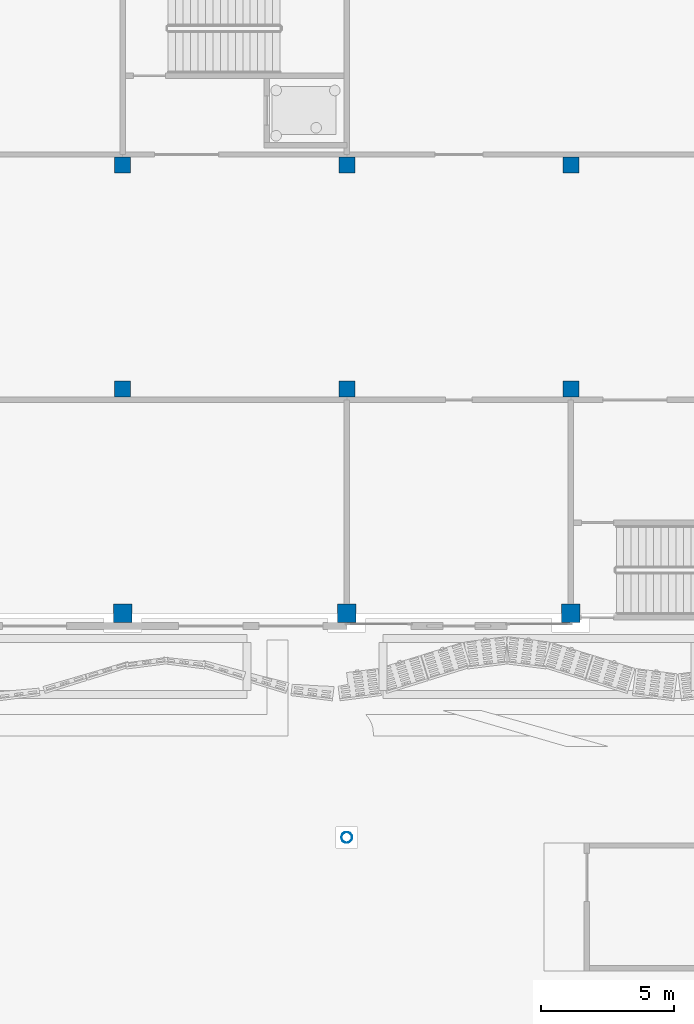
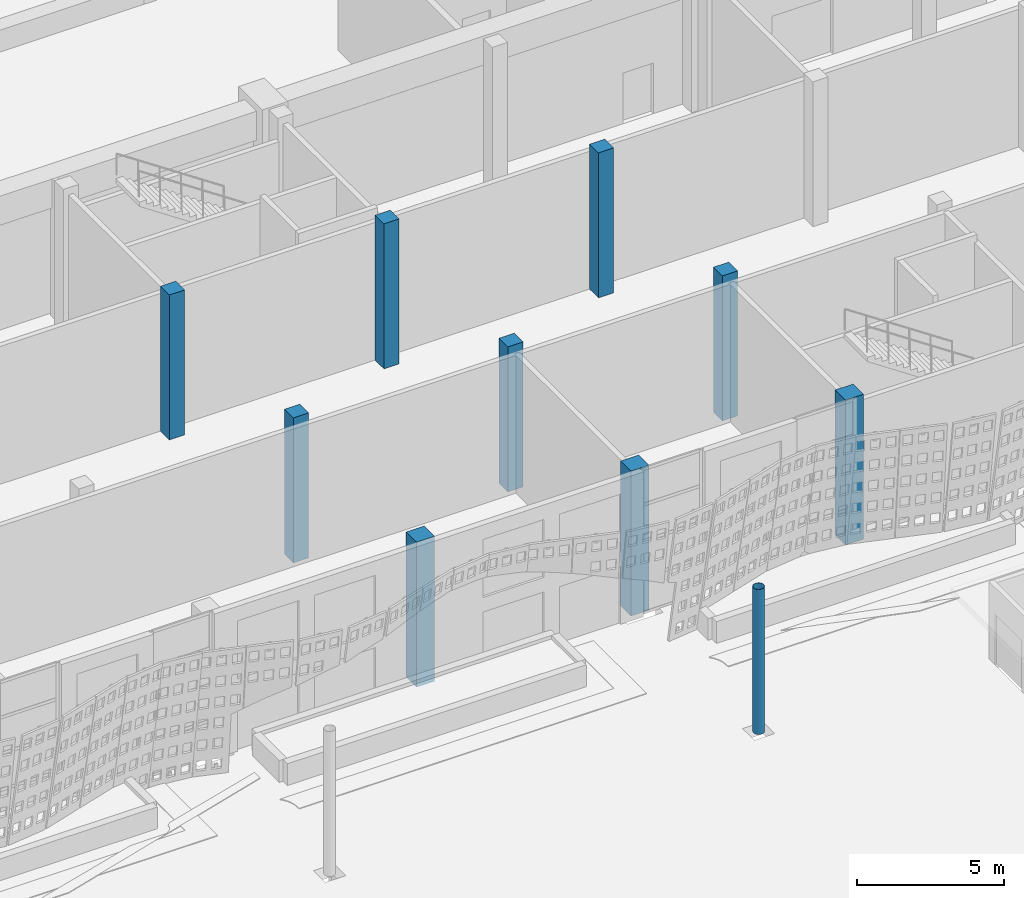
# One storey, part 12 of 210: 10 columns.
"""IFC4 building model written with IfcOpenShell, lengths in metres."""

from ifc_helpers import new_model, si_unit, direction, frame, origin, origin_2d, place, context, subcontext, project, spatial, rectangle, hollow_circle, extrude, material, material_profile, profile_set, type_object, element, save


model = new_model("IFC4")

# Units and contexts
model_context = context("Model", 3, precision=1e-05, world=origin(), true_north=direction((0.0, 1.0)))
body_context = subcontext(model_context, "Body", "Model", "MODEL_VIEW")
ifc_project = project(units=[si_unit("LENGTHUNIT", "METRE"), si_unit("AREAUNIT", "SQUARE_METRE"), si_unit("VOLUMEUNIT", "CUBIC_METRE"), si_unit("PLANEANGLEUNIT", "RADIAN"), si_unit("MASSUNIT", "GRAM", prefix="KILO")], contexts=[model_context])

# Site, building, storey
site_placement = place(None, origin())
site = spatial("IfcSite", under=ifc_project, at=site_placement, CompositionType="ELEMENT")
building_placement = place(site_placement, origin())
building = spatial("IfcBuilding", under=site, at=building_placement, Name="Rain Tree Exposition and Congress Centre", CompositionType="ELEMENT")
storey_placement = place(building_placement, origin())
storey = spatial("IfcBuildingStorey", under=building, at=storey_placement, Name="L00", CompositionType="ELEMENT", Elevation=0.0)

# Columns
ifc_material_1 = material(Name="Precast concrete C50/60", Category="concrete")
ifc_material_profile_1 = material_profile(ifc_material_1, rectangle(XDim=0.60009765625, YDim=0.60009765625, at=origin_2d()), Name="RC 600x600")
ifc_profile_set_1 = profile_set([ifc_material_profile_1], Name="Precast concrete C50/60")
column_type_1 = type_object("IfcColumnType", Name="Precast column 600x600", PredefinedType="COLUMN", material=ifc_profile_set_1)
for number, where, z_axis, x_axis, name in (
    (1, (100.800048828125, 84.0, 0.0), (0.0, 0.0, 1.0), (1.0, 0.0, 0.0), "Concourse column L00 B13"),
    (2, (109.199951171875, 84.0, 0.0), (0.0, 0.0, 1.0), (1.0, 0.0, 0.0), "Concourse column L00 B14"),
    (3, (117.60009765625, 84.0, 0.0), (0.0, 0.0, 1.0), (1.0, 0.0, 0.0), "Concourse column L00 B15"),
    (4, (100.800048828125, 92.39990234375, 0.0), (0.0, 0.0, 1.0), (1.0, 0.0, 0.0), "Concourse column L00 C13"),
    (5, (109.199951171875, 92.39990234375, 0.0), (0.0, 0.0, 1.0), (1.0, 0.0, 0.0), "Concourse column L00 C14"),
    (6, (117.60009765625, 92.39990234375, 0.0), (0.0, 0.0, 1.0), (1.0, 0.0, 0.0), "Concourse column L00 C15"),
):
    element("IfcColumn", number, at=place(storey_placement, frame(where, z_axis=z_axis, x_axis=x_axis)), inside=storey, type_object=column_type_1, Name=name, PredefinedType="COLUMN", context=body_context, shape_type="SweptSolid", body=[
        extrude(rectangle(XDim=0.60009765625, YDim=0.60009765625, at=origin_2d()), origin(), (0.0, 0.0, 1.0), 6.0),
    ])
ifc_material_2 = material(Name="Precast concrete C50/60", Category="concrete")
ifc_material_profile_2 = material_profile(ifc_material_2, rectangle(XDim=0.699951171875, YDim=0.699951171875, at=origin_2d()), Name="RC 700x700")
ifc_profile_set_2 = profile_set([ifc_material_profile_2], Name="Precast concrete C50/60")
column_type_2 = type_object("IfcColumnType", Name="Precast column 700x700", PredefinedType="COLUMN", material=ifc_profile_set_2)
for number, where, z_axis, x_axis, name in (
    (7, (100.800048828125, 75.60009765625, 0.0), (0.0, 0.0, 1.0), (1.0, 0.0, 0.0), "Concourse column L00 A13"),
    (8, (109.199951171875, 75.60009765625, 0.0), (0.0, 0.0, 1.0), (1.0, 0.0, 0.0), "Concourse column L00 A14"),
    (9, (117.60009765625, 75.60009765625, 0.0), (0.0, 0.0, 1.0), (1.0, 0.0, 0.0), "Concourse column L00 A15"),
):
    element("IfcColumn", number, at=place(storey_placement, frame(where, z_axis=z_axis, x_axis=x_axis)), inside=storey, type_object=column_type_2, Name=name, PredefinedType="COLUMN", context=body_context, shape_type="SweptSolid", body=[
        extrude(rectangle(XDim=0.699951171875, YDim=0.699951171875, at=origin_2d()), origin(), (0.0, 0.0, 1.0), 6.0),
    ])
ifc_material_3 = material(Name="Steel S355J2H", Category="steel")
ifc_material_profile_3 = material_profile(ifc_material_3, hollow_circle(Radius=0.203125, WallThickness=0.009033203125, at=origin_2d()), Name="CHS 406.4x9")
ifc_profile_set_3 = profile_set([ifc_material_profile_3], Name="Steel S355J2H")
column_type_3 = type_object("IfcColumnType", Name="Steel column CHS 406.4x9", PredefinedType="COLUMN", material=ifc_profile_set_3)
column_placement = place(storey_placement, frame((109.199951171875, 67.199951171875, 0.0), z_axis=(0.0, 0.0, 1.0), x_axis=(1.0, 0.0, 0.0)))
element("IfcColumn", 10, at=column_placement, inside=storey, type_object=column_type_3, Name="Rain tree column 8", PredefinedType="COLUMN", context=body_context, shape_type="SweptSolid", body=[
    extrude(hollow_circle(Radius=0.203125, WallThickness=0.009033203125, at=origin_2d()), origin(), (0.0, 0.0, 1.0), 6.0),
])

save(model, "model.ifc")
